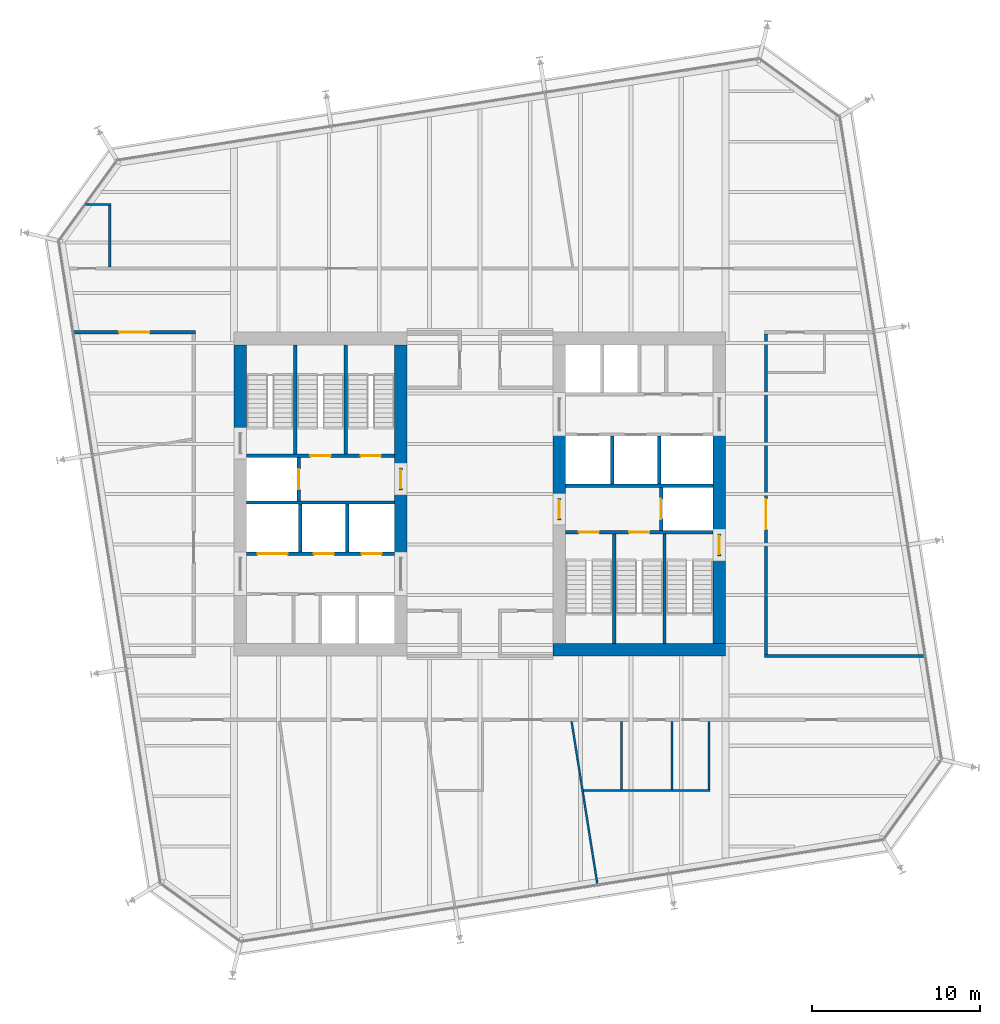
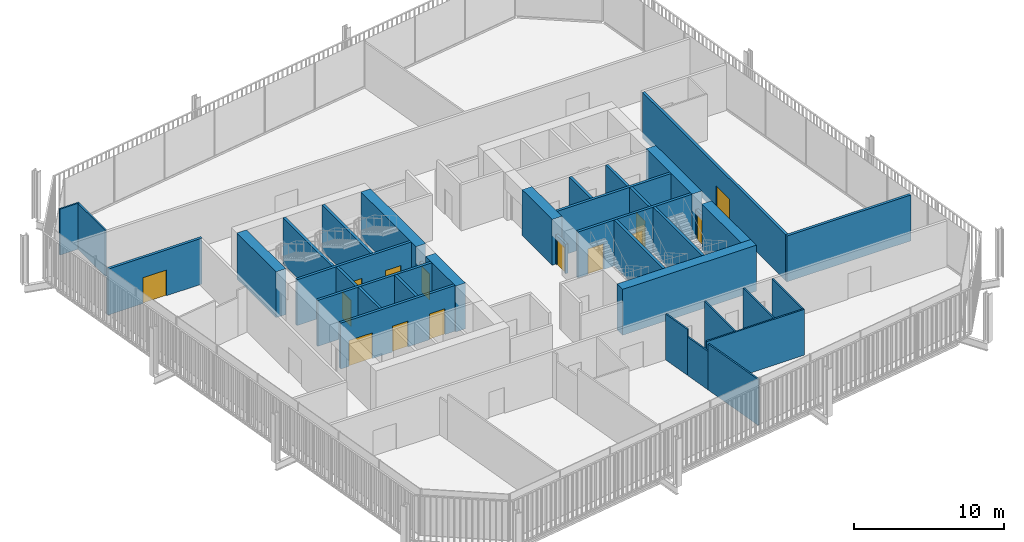
# One storey, part 18 of 21: 37 walls, 14 doors, 14 openings.
"""IFC4 building model written with IfcOpenShell, lengths in metres."""

import ifcopenshell
import ifcopenshell.guid

model = None  # the IFC model being written
_history = None  # IfcOwnerHistory: only IFC2X3 demands one
_inside = {}  # id of a spatial element -> (the spatial element, [elements in it])
_under = {}  # id of a project, library or spatial element -> (it, [spatial elements below it])
_declared = {}  # id of a project -> (the project, [libraries it declares])
_typed = {}  # id of a type object -> (the type object, [elements of that type])
_made_of = {}  # id of a material, layer set ... -> (it, [elements and type objects made of it])


def new_model(schema):
    """Start an empty IFC model of exactly this schema.

    Asked for "IFC4X3", IfcOpenShell would pick the latest addendum, in which some entities
    have other attributes; the version numbers below select the first issue.
    IFC2X3 requires an IfcOwnerHistory on every rooted entity: one is made here for all.
    """
    global model, _history
    if schema == "IFC4X3":
        model = ifcopenshell.file(schema_version=(4, 3, 0, 0))
    else:
        model = ifcopenshell.file(schema=schema)
    _inside.clear()
    _under.clear()
    _declared.clear()
    _typed.clear()
    _made_of.clear()
    _history = None
    if model.schema == "IFC2X3":
        org = make("IfcOrganization", Name="unknown")
        user = make(
            "IfcPersonAndOrganization",
            ThePerson=make("IfcPerson", FamilyName="unknown"),
            TheOrganization=org,
        )
        app = make(
            "IfcApplication",
            ApplicationDeveloper=org,
            Version="unknown",
            ApplicationFullName="unknown",
            ApplicationIdentifier="unknown",
        )
        _history = make(
            "IfcOwnerHistory",
            OwningUser=user,
            OwningApplication=app,
            ChangeAction="ADDED",
            CreationDate=0,
        )
    return model


def make(cls, **values):
    """One entity of the class cls with the attributes given. An attribute that is None is left unset."""
    return model.create_entity(
        cls, **{name: value for name, value in values.items() if value is not None}
    )


def rooted(cls, **values):
    """An entity with a GlobalId (a new one), such as an element, a storey or a relation."""
    return make(cls, GlobalId=ifcopenshell.guid.new(), OwnerHistory=_history, **values)


def si_unit(unit_type, name, prefix=None):
    """IfcSIUnit, for example si_unit("LENGTHUNIT", "METRE", prefix="MILLI")."""
    return make("IfcSIUnit", UnitType=unit_type, Prefix=prefix, Name=name)


def assignment(units):
    """IfcUnitAssignment: the units of a project."""
    return None if units is None else make("IfcUnitAssignment", Units=units)


def point(xyz):
    """IfcCartesianPoint."""
    return None if xyz is None else make("IfcCartesianPoint", Coordinates=xyz)


def direction(xyz):
    """IfcDirection."""
    return None if xyz is None else make("IfcDirection", DirectionRatios=xyz)


def frame(location, z_axis=None, x_axis=None):
    """IfcAxis2Placement3D, a coordinate frame: its origin and axes. An axis left out is left unset."""
    return make(
        "IfcAxis2Placement3D",
        Location=point(location),
        Axis=direction(z_axis),
        RefDirection=direction(x_axis),
    )


def frame_2d(location, x_axis=None):
    """IfcAxis2Placement2D, a coordinate frame in the plane: its origin and x axis."""
    return make(
        "IfcAxis2Placement2D", Location=point(location), RefDirection=direction(x_axis)
    )


def origin():
    """The frame at (0, 0, 0) with its axes left unset."""
    return frame((0.0, 0.0, 0.0))


def place(relative_to, where):
    """IfcLocalPlacement: puts the frame where relative to a parent placement (None: the world)."""
    return make(
        "IfcLocalPlacement", PlacementRelTo=relative_to, RelativePlacement=where
    )


def context(
    kind, dimensions, precision=None, world=None, true_north=None, identifier=None
):
    """IfcGeometricRepresentationContext, for example the 3D "Model" context."""
    return make(
        "IfcGeometricRepresentationContext",
        ContextIdentifier=identifier,
        ContextType=kind,
        CoordinateSpaceDimension=dimensions,
        Precision=precision,
        WorldCoordinateSystem=world,
        TrueNorth=true_north,
    )


def subcontext(parent, identifier, kind, view, scale=None):
    """IfcGeometricRepresentationSubContext, for example "Body" below "Model"."""
    return make(
        "IfcGeometricRepresentationSubContext",
        ContextIdentifier=identifier,
        ContextType=kind,
        ParentContext=parent,
        TargetScale=scale,
        TargetView=view,
    )


def project(units=None, contexts=None):
    """IfcProject with its units and contexts."""
    return rooted(
        "IfcProject",
        Name="project",
        RepresentationContexts=contexts,
        UnitsInContext=assignment(units),
    )


def spatial(cls, under=None, at=None, **own):
    """A site, building, storey or space (cls), placed at a placement, below another one or the project."""
    s = rooted(cls, ObjectPlacement=at, **own)
    if under is not None:
        _under.setdefault(under.id(), (under, []))[1].append(s)
    return s


def profile(cls, at=None, kind="AREA", **sizes):
    """A parametric profile (cls). Its sizes go by their IFC names, for example OverallWidth=200.0."""
    return make(cls, ProfileType=kind, Position=at, **sizes)


def rectangle(**sizes):
    """IfcRectangleProfileDef."""
    return profile("IfcRectangleProfileDef", **sizes)


def extrude(swept, where, along, depth):
    """IfcExtrudedAreaSolid: the profile swept, set in the frame where, extruded along a direction by depth."""
    return make(
        "IfcExtrudedAreaSolid",
        SweptArea=swept,
        Position=where,
        ExtrudedDirection=direction(along),
        Depth=depth,
    )


def shape(context_of_items, identifier, shape_type, items):
    """IfcShapeRepresentation: the items that make up one representation, for example the "Body"."""
    return make(
        "IfcShapeRepresentation",
        ContextOfItems=context_of_items,
        RepresentationIdentifier=identifier,
        RepresentationType=shape_type,
        Items=items,
    )


def material(Name=None, Category=None):
    """IfcMaterial."""
    return make("IfcMaterial", Name=Name, Category=Category)


def layer(
    of_material, thickness, ventilated=None, Name=None, Category=None, Priority=None
):
    """IfcMaterialLayer: one layer of a wall or slab, of a material (None: an air gap)."""
    return make(
        "IfcMaterialLayer",
        Material=of_material,
        LayerThickness=thickness,
        IsVentilated=ventilated,
        Name=Name,
        Category=Category,
        Priority=Priority,
    )


def layer_set(layers, Name=None):
    """IfcMaterialLayerSet."""
    return make("IfcMaterialLayerSet", MaterialLayers=layers, LayerSetName=Name)


def made_of(thing, what):
    """Note that an element or type object is made of a material, layer set ...; save() writes the relation."""
    if what is not None:
        _made_of.setdefault(what.id(), (what, []))[1].append(thing)
    return thing


def type_object(cls, material=None, **own):
    """A type object (cls), such as IfcWallType, which elements share."""
    return made_of(rooted(cls, **own), material)


def element(
    cls,
    number,
    at=None,
    inside=None,
    cuts=None,
    type_object=None,
    material=None,
    context=None,
    identifier="Body",
    shape_type=None,
    held_by="IfcProductDefinitionShape",
    body=None,
    shapes=None,
    **own,
):
    """One element of the class cls, such as IfcWall. Its Tag is "e" and its number.

    at: its placement. inside: the storey or other place that contains it. cuts: it is an
    opening in that element (IfcRelVoidsElement). A single representation is given by context,
    identifier, shape_type and body (its items); several are given by shapes. held_by: the class
    of the entity that holds the representations. save() writes the other relations.
    """
    e = rooted(cls, Tag="e%d" % number, ObjectPlacement=at, **own)
    if body is not None:
        shapes = [shape(context, identifier, shape_type, body)]
    if shapes is not None:
        e.Representation = make(held_by, Representations=shapes)
    if inside is not None:
        _inside.setdefault(inside.id(), (inside, []))[1].append(e)
    if cuts is not None:
        rooted(
            "IfcRelVoidsElement", RelatingBuildingElement=cuts, RelatedOpeningElement=e
        )
    if type_object is not None:
        _typed.setdefault(type_object.id(), (type_object, []))[1].append(e)
    return made_of(e, material)


def fill(opening, filler):
    """IfcRelFillsElement: the door or window that sits in an opening."""
    return rooted(
        "IfcRelFillsElement",
        RelatingOpeningElement=opening,
        RelatedBuildingElement=filler,
    )


def aggregate(whole, parts):
    """IfcRelAggregates: a whole, such as a stair, and the parts it consists of."""
    return rooted("IfcRelAggregates", RelatingObject=whole, RelatedObjects=parts)


def save(model, path):
    """Write the relations noted so far, then the file.

    IfcRelAggregates (storeys below a building ...), IfcRelContainedInSpatialStructure (elements
    in a storey), IfcRelDefinesByType, IfcRelAssociatesMaterial and IfcRelDeclares: one each for
    every whole, place, type object, material and project.
    """
    for whole, parts in _under.values():
        aggregate(whole, parts)
    for where, things in _inside.values():
        rooted(
            "IfcRelContainedInSpatialStructure",
            RelatedElements=things,
            RelatingStructure=where,
        )
    for kind, things in _typed.values():
        rooted("IfcRelDefinesByType", RelatedObjects=things, RelatingType=kind)
    for what, things in _made_of.values():
        rooted("IfcRelAssociatesMaterial", RelatedObjects=things, RelatingMaterial=what)
    for by, libraries in _declared.values():
        rooted("IfcRelDeclares", RelatingContext=by, RelatedDefinitions=libraries)
    model.write(path)


model = new_model("IFC4")

# Units and contexts
model_context = context("Model", 3, precision=1e-05, world=origin(), true_north=direction((0.0, 1.0)))
body_context = subcontext(model_context, "Body", "Model", "MODEL_VIEW")
ifc_project = project(units=[si_unit("LENGTHUNIT", "METRE"), si_unit("AREAUNIT", "SQUARE_METRE"), si_unit("VOLUMEUNIT", "CUBIC_METRE"), si_unit("PLANEANGLEUNIT", "RADIAN"), si_unit("MASSUNIT", "GRAM", prefix="KILO")], contexts=[model_context])

# Site, building, storey
site_placement = place(None, origin())
site = spatial("IfcSite", under=ifc_project, at=site_placement, CompositionType="ELEMENT")
building_placement = place(site_placement, origin())
building = spatial("IfcBuilding", under=site, at=building_placement, Name="Millrace Tower", CompositionType="ELEMENT")
storey_placement = place(building_placement, frame((0.0, 0.0, 141.199951171875)))
storey = spatial("IfcBuildingStorey", under=building, at=storey_placement, Name="L31", CompositionType="ELEMENT", Elevation=141.199951171875)

# Walls
ifc_material_1 = material(Name="Concrete C70", Category="concrete")
ifc_layer_1 = layer(ifc_material_1, 0.75)
ifc_layer_set_1 = layer_set([ifc_layer_1], Name="Concrete C70")
wall_type_1 = type_object("IfcWallType", Name="Core wall 750 Concrete C70", PredefinedType="SHEAR", material=ifc_layer_set_1)
wall_1_placement = place(storey_placement, frame((-14.27490234375, 3.679931640625, 0.0), z_axis=(0.0, 0.0, 1.0), x_axis=(0.0, 1.0, 0.0)))
element("IfcWall", 1, at=wall_1_placement, inside=storey, type_object=wall_type_1, Name="Core wall W L31", PredefinedType="SHEAR", context=body_context, shape_type="SweptSolid", body=[
    extrude(rectangle(XDim=5.219970703125, YDim=0.75, at=frame_2d((2.60986328125, 0.0))), origin(), (0.0, 0.0, 1.0), 3.739990234375),
])
wall_2_placement = place(storey_placement, frame((-4.72509765625, -3.75, 0.0), z_axis=(0.0, 0.0, 1.0), x_axis=(0.0, 1.0, 0.0)))
element("IfcWall", 2, at=wall_2_placement, inside=storey, type_object=wall_type_1, Name="Core wall W L31", PredefinedType="SHEAR", context=body_context, shape_type="SweptSolid", body=[
    extrude(rectangle(XDim=4.0, YDim=0.75, at=frame_2d((2.0, 0.0))), origin(), (0.0, 0.0, 1.0), 3.739990234375),
])
wall_3_placement = place(storey_placement, frame((-4.72509765625, 1.550048828125, 0.0), z_axis=(0.0, 0.0, 1.0), x_axis=(0.0, 1.0, 0.0)))
element("IfcWall", 3, at=wall_3_placement, inside=storey, type_object=wall_type_1, Name="Core wall W L31", PredefinedType="SHEAR", context=body_context, shape_type="SweptSolid", body=[
    extrude(rectangle(XDim=7.349853515625, YDim=0.75, at=frame_2d((3.6748046875, 0.0))), origin(), (0.0, 0.0, 1.0), 3.739990234375),
])
wall_4_placement = place(storey_placement, frame((14.64990234375, -9.27490234375, 0.0), z_axis=(0.0, 0.0, 1.0), x_axis=(-1.0, 0.0, 0.0)))
element("IfcWall", 4, at=wall_4_placement, inside=storey, type_object=wall_type_1, Name="Core wall E L31", PredefinedType="SHEAR", context=body_context, shape_type="SweptSolid", body=[
    extrude(rectangle(XDim=10.2998046875, YDim=0.75, at=frame_2d((5.14990234375, 0.0))), origin(), (0.0, 0.0, 1.0), 3.739990234375),
])
wall_5_placement = place(storey_placement, frame((14.27490234375, 3.75, 0.0), z_axis=(0.0, 0.0, 1.0), x_axis=(0.0, -1.0, 0.0)))
element("IfcWall", 5, at=wall_5_placement, inside=storey, type_object=wall_type_1, Name="Core wall E L31", PredefinedType="SHEAR", context=body_context, shape_type="SweptSolid", body=[
    extrude(rectangle(XDim=6.1298828125, YDim=0.75, at=frame_2d((3.06494140625, 0.0))), origin(), (0.0, 0.0, 1.0), 3.739990234375),
])
wall_6_placement = place(storey_placement, frame((14.27490234375, -3.679931640625, 0.0), z_axis=(0.0, 0.0, 1.0), x_axis=(0.0, -1.0, 0.0)))
element("IfcWall", 6, at=wall_6_placement, inside=storey, type_object=wall_type_1, Name="Core wall E L31", PredefinedType="SHEAR", context=body_context, shape_type="SweptSolid", body=[
    extrude(rectangle(XDim=5.219970703125, YDim=0.75, at=frame_2d((2.60986328125, 0.0))), origin(), (0.0, 0.0, 1.0), 3.739990234375),
])
wall_7_placement = place(storey_placement, frame((4.72509765625, 3.75, 0.0), z_axis=(0.0, 0.0, 1.0), x_axis=(0.0, -1.0, 0.0)))
element("IfcWall", 7, at=wall_7_placement, inside=storey, type_object=wall_type_1, Name="Core wall E L31", PredefinedType="SHEAR", context=body_context, shape_type="SweptSolid", body=[
    extrude(rectangle(XDim=4.0, YDim=0.75, at=frame_2d((2.0, 0.0))), origin(), (0.0, 0.0, 1.0), 3.739990234375),
])
ifc_material_2 = material(Name="Masonry partition, fire-rated", Category="masonry")
ifc_layer_2 = layer(ifc_material_2, 0.199951171875)
ifc_layer_set_2 = layer_set([ifc_layer_2], Name="Masonry partition, fire-rated")
wall_type_2 = type_object("IfcWallType", Name="Corridor wall 200", PredefinedType="PARTITIONING", material=ifc_layer_set_2)
wall_8_placement = place(storey_placement, frame((16.949951171875, -9.64990234375, 0.0), z_axis=(0.0, 0.0, 1.0), x_axis=(1.0, 0.0, 0.0)))
element("IfcWall", 8, at=wall_8_placement, inside=storey, type_object=wall_type_2, Name="Corridor wall L31", PredefinedType="PARTITIONING", context=body_context, shape_type="SweptSolid", body=[
    extrude(rectangle(XDim=9.54638671875, YDim=0.199951171875, at=frame_2d((4.773193359375, 0.0))), origin(), (0.0, 0.0, 1.0), 3.739990234375),
])

# Wall, opening, door
wall_9_placement = place(storey_placement, frame((-24.20703125, 9.64990234375, 0.0), z_axis=(0.0, 0.0, 1.0), x_axis=(1.0, 0.0, 0.0)))
wall_9 = element("IfcWall", 9, at=wall_9_placement, inside=storey, type_object=wall_type_2, Name="Corridor wall L31", PredefinedType="PARTITIONING", context=body_context, shape_type="SweptSolid", body=[
    extrude(rectangle(XDim=7.257080078125, YDim=0.199951171875, at=frame_2d((3.62841796875, 0.0))), origin(), (0.0, 0.0, 1.0), 3.739990234375),
])
opening_1_placement = place(wall_9_placement, frame((2.70361328125, 0.0, 0.0)))
opening_1 = element("IfcOpeningElement", 10, at=opening_1_placement, cuts=wall_9, Name="Opening 31-P019", PredefinedType="OPENING", context=body_context, shape_type="SweptSolid", body=[
    extrude(rectangle(XDim=1.800048828125, YDim=2.10009765625, at=frame_2d((0.89990234375, 1.050048828125))), frame((0.0, 0.10986328125, 0.0), z_axis=(0.0, -1.0, 0.0), x_axis=(1.0, 0.0, 0.0)), (0.0, 0.0, 1.0), 0.219970703125),
])
ifc_material_3 = material(Name="Steel door set, fire-rated", Category="steel")
door_type_1 = type_object("IfcDoorType", Name="Corridor door 1800 x 2100", OperationType="DOUBLE_DOOR_SINGLE_SWING", PredefinedType="DOOR", material=ifc_material_3)
door_1_placement = place(opening_1_placement, frame((1.800048828125, 0.0, 0.0), z_axis=(0.0, 0.0, 1.0), x_axis=(-1.0, 0.0, 0.0)))
door_1 = element("IfcDoor", 11, at=door_1_placement, inside=storey, type_object=door_type_1, Name="Door 31-P019", OperationType="DOUBLE_DOOR_SINGLE_SWING", OverallHeight=2.10009765625, OverallWidth=1.800048828125, PredefinedType="DOOR", context=body_context, shape_type="SweptSolid", body=[
    extrude(rectangle(XDim=1.800048828125, YDim=2.10009765625, at=frame_2d((0.89990234375, 1.050048828125))), frame((0.0, 0.02490234375, 0.0), z_axis=(0.0, -1.0, 0.0), x_axis=(1.0, 0.0, 0.0)), (0.0, 0.0, 1.0), 0.050048828125),
])
fill(opening_1, door_1)

wall_10_placement = place(storey_placement, frame((17.050048828125, -9.550048828125, 0.0), z_axis=(0.0, 0.0, 1.0), x_axis=(0.0, 1.0, 0.0)))
wall_10 = element("IfcWall", 12, at=wall_10_placement, inside=storey, type_object=wall_type_2, Name="Corridor wall L31", PredefinedType="PARTITIONING", context=body_context, shape_type="SweptSolid", body=[
    extrude(rectangle(XDim=19.10009765625, YDim=0.199951171875, at=frame_2d((9.550048828125, 0.0))), origin(), (0.0, 0.0, 1.0), 3.739990234375),
])
opening_2_placement = place(wall_10_placement, frame((7.449951171875, 0.0, 0.0)))
opening_2 = element("IfcOpeningElement", 13, at=opening_2_placement, cuts=wall_10, Name="Opening 31-P008", PredefinedType="OPENING", context=body_context, shape_type="SweptSolid", body=[
    extrude(rectangle(XDim=1.800048828125, YDim=2.10009765625, at=frame_2d((0.89990234375, 1.050048828125))), frame((0.0, 0.10986328125, 0.0), z_axis=(0.0, -1.0, 0.0), x_axis=(1.0, 0.0, 0.0)), (0.0, 0.0, 1.0), 0.219970703125),
])
door_2_placement = place(opening_2_placement, frame((1.800048828125, 0.0, 0.0), z_axis=(0.0, 0.0, 1.0), x_axis=(-1.0, 0.0, 0.0)))
door_2 = element("IfcDoor", 14, at=door_2_placement, inside=storey, type_object=door_type_1, Name="Door 31-P008", OperationType="DOUBLE_DOOR_SINGLE_SWING", OverallHeight=2.10009765625, OverallWidth=1.800048828125, PredefinedType="DOOR", context=body_context, shape_type="SweptSolid", body=[
    extrude(rectangle(XDim=1.800048828125, YDim=2.10009765625, at=frame_2d((0.89990234375, 1.050048828125))), frame((0.0, 0.02490234375, 0.0), z_axis=(0.0, -1.0, 0.0), x_axis=(1.0, 0.0, 0.0)), (0.0, 0.0, 1.0), 0.050048828125),
])
fill(opening_2, door_2)

# Wall, openings, doors
ifc_material_4 = material(Name="Masonry partition, fire-rated", Category="masonry")
ifc_layer_3 = layer(ifc_material_4, 0.199951171875)
ifc_layer_set_3 = layer_set([ifc_layer_3], Name="Masonry partition, fire-rated")
wall_type_3 = type_object("IfcWallType", Name="Lift shaft wall 200", PredefinedType="PARTITIONING", material=ifc_layer_set_3)
wall_11_placement = place(storey_placement, frame((-13.89990234375, -3.550048828125, 0.0), z_axis=(0.0, 0.0, 1.0), x_axis=(1.0, 0.0, 0.0)))
wall_11 = element("IfcWall", 15, at=wall_11_placement, inside=storey, type_object=wall_type_3, Name="Lift shaft wall W L31", PredefinedType="PARTITIONING", context=body_context, shape_type="SweptSolid", body=[
    extrude(rectangle(XDim=8.7998046875, YDim=0.199951171875, at=frame_2d((4.39990234375, 0.0))), origin(), (0.0, 0.0, 1.0), 3.739990234375),
])
opening_3_placement = place(wall_11_placement, frame((0.64990234375, 0.0, 0.0)))
opening_3 = element("IfcOpeningElement", 16, at=opening_3_placement, cuts=wall_11, Name="Opening 31-LD05", PredefinedType="OPENING", context=body_context, shape_type="SweptSolid", body=[
    extrude(rectangle(XDim=1.800048828125, YDim=2.10009765625, at=frame_2d((0.89990234375, 1.050048828125))), frame((0.0, 0.10986328125, 0.0), z_axis=(0.0, -1.0, 0.0), x_axis=(1.0, 0.0, 0.0)), (0.0, 0.0, 1.0), 0.219970703125),
])
opening_4_placement = place(wall_11_placement, frame((4.0, 0.0, 0.0)))
opening_4 = element("IfcOpeningElement", 17, at=opening_4_placement, cuts=wall_11, Name="Opening 31-LD06", PredefinedType="OPENING", context=body_context, shape_type="SweptSolid", body=[
    extrude(rectangle(XDim=1.199951171875, YDim=2.10009765625, at=frame_2d((0.60009765625, 1.050048828125))), frame((0.0, 0.10986328125, 0.0), z_axis=(0.0, -1.0, 0.0), x_axis=(1.0, 0.0, 0.0)), (0.0, 0.0, 1.0), 0.219970703125),
])
opening_5_placement = place(wall_11_placement, frame((6.85009765625, 0.0, 0.0)))
opening_5 = element("IfcOpeningElement", 18, at=opening_5_placement, cuts=wall_11, Name="Opening 31-LD07", PredefinedType="OPENING", context=body_context, shape_type="SweptSolid", body=[
    extrude(rectangle(XDim=1.199951171875, YDim=2.10009765625, at=frame_2d((0.60009765625, 1.050048828125))), frame((0.0, 0.10986328125, 0.0), z_axis=(0.0, -1.0, 0.0), x_axis=(1.0, 0.0, 0.0)), (0.0, 0.0, 1.0), 0.219970703125),
])
ifc_material_5 = material(Name="Stainless steel, fire-rated", Category="steel")
door_type_2 = type_object("IfcDoorType", Name="Lift landing door 1200 x 2100", OperationType="DOUBLE_DOOR_SLIDING", PredefinedType="DOOR", material=ifc_material_5)
door_3_placement = place(opening_4_placement, origin())
door_3 = element("IfcDoor", 19, at=door_3_placement, inside=storey, type_object=door_type_2, Name="Lift landing door LF6 L31", OperationType="DOUBLE_DOOR_SLIDING", OverallHeight=2.10009765625, OverallWidth=1.199951171875, PredefinedType="DOOR", context=body_context, shape_type="SweptSolid", body=[
    extrude(rectangle(XDim=1.199951171875, YDim=2.10009765625, at=frame_2d((0.60009765625, 1.050048828125))), frame((0.0, 0.02490234375, 0.0), z_axis=(0.0, -1.0, 0.0), x_axis=(1.0, 0.0, 0.0)), (0.0, 0.0, 1.0), 0.050048828125),
])
fill(opening_4, door_3)
door_4_placement = place(opening_5_placement, origin())
door_4 = element("IfcDoor", 20, at=door_4_placement, inside=storey, type_object=door_type_2, Name="Lift landing door LF7 L31", OperationType="DOUBLE_DOOR_SLIDING", OverallHeight=2.10009765625, OverallWidth=1.199951171875, PredefinedType="DOOR", context=body_context, shape_type="SweptSolid", body=[
    extrude(rectangle(XDim=1.199951171875, YDim=2.10009765625, at=frame_2d((0.60009765625, 1.050048828125))), frame((0.0, 0.02490234375, 0.0), z_axis=(0.0, -1.0, 0.0), x_axis=(1.0, 0.0, 0.0)), (0.0, 0.0, 1.0), 0.050048828125),
])
fill(opening_5, door_4)
ifc_material_6 = material(Name="Stainless steel, fire-rated", Category="steel")
door_type_3 = type_object("IfcDoorType", Name="Lift landing door 1800 x 2100", OperationType="DOUBLE_DOOR_SLIDING", PredefinedType="DOOR", material=ifc_material_6)
door_5_placement = place(opening_3_placement, origin())
door_5 = element("IfcDoor", 21, at=door_5_placement, inside=storey, type_object=door_type_3, Name="Lift landing door LF5 L31", OperationType="DOUBLE_DOOR_SLIDING", OverallHeight=2.10009765625, OverallWidth=1.800048828125, PredefinedType="DOOR", context=body_context, shape_type="SweptSolid", body=[
    extrude(rectangle(XDim=1.800048828125, YDim=2.10009765625, at=frame_2d((0.89990234375, 1.050048828125))), frame((0.0, 0.02490234375, 0.0), z_axis=(0.0, -1.0, 0.0), x_axis=(1.0, 0.0, 0.0)), (0.0, 0.0, 1.0), 0.050048828125),
])
fill(opening_3, door_5)

# Wall
wall_12_placement = place(storey_placement, frame((-13.89990234375, -0.5, 0.0), z_axis=(0.0, 0.0, 1.0), x_axis=(1.0, 0.0, 0.0)))
element("IfcWall", 22, at=wall_12_placement, inside=storey, type_object=wall_type_3, Name="Lift shaft wall W L31", PredefinedType="PARTITIONING", context=body_context, shape_type="SweptSolid", body=[
    extrude(rectangle(XDim=8.7998046875, YDim=0.199951171875, at=frame_2d((4.39990234375, 0.0))), origin(), (0.0, 0.0, 1.0), 3.739990234375),
])

# Wall, opening, door
wall_13_placement = place(storey_placement, frame((-10.800048828125, -0.39990234375, 0.0), z_axis=(0.0, 0.0, 1.0), x_axis=(0.0, 1.0, 0.0)))
wall_13 = element("IfcWall", 23, at=wall_13_placement, inside=storey, type_object=wall_type_3, Name="Lift shaft wall W L31", PredefinedType="PARTITIONING", context=body_context, shape_type="SweptSolid", body=[
    extrude(rectangle(XDim=2.579833984375, YDim=0.199951171875, at=frame_2d((1.2900390625, 0.0))), origin(), (0.0, 0.0, 1.0), 3.739990234375),
])
opening_6_placement = place(wall_13_placement, frame((0.68994140625, 0.0, 0.0)))
opening_6 = element("IfcOpeningElement", 24, at=opening_6_placement, cuts=wall_13, Name="Opening 31-LD08", PredefinedType="OPENING", context=body_context, shape_type="SweptSolid", body=[
    extrude(rectangle(XDim=1.199951171875, YDim=2.10009765625, at=frame_2d((0.60009765625, 1.050048828125))), frame((0.0, 0.10986328125, 0.0), z_axis=(0.0, -1.0, 0.0), x_axis=(1.0, 0.0, 0.0)), (0.0, 0.0, 1.0), 0.219970703125),
])
door_6_placement = place(opening_6_placement, origin())
door_6 = element("IfcDoor", 25, at=door_6_placement, inside=storey, type_object=door_type_2, Name="Lift landing door LF8 L31", OperationType="DOUBLE_DOOR_SLIDING", OverallHeight=2.10009765625, OverallWidth=1.199951171875, PredefinedType="DOOR", context=body_context, shape_type="SweptSolid", body=[
    extrude(rectangle(XDim=1.199951171875, YDim=2.10009765625, at=frame_2d((0.60009765625, 1.050048828125))), frame((0.0, 0.02490234375, 0.0), z_axis=(0.0, -1.0, 0.0), x_axis=(1.0, 0.0, 0.0)), (0.0, 0.0, 1.0), 0.050048828125),
])
fill(opening_6, door_6)

# Walls
for number, where, z_axis, x_axis, name in (
    (26, (-10.699951171875, -3.449951171875, 0.0), (0.0, 0.0, 1.0), (0.0, 1.0, 0.0), "Lift shaft wall W L31"),
    (27, (-7.89990234375, -3.449951171875, 0.0), (0.0, 0.0, 1.0), (0.0, 1.0, 0.0), "Lift shaft wall W L31"),
):
    element("IfcWall", number, at=place(storey_placement, frame(where, z_axis=z_axis, x_axis=x_axis)), inside=storey, type_object=wall_type_3, Name=name, PredefinedType="PARTITIONING", context=body_context, shape_type="SweptSolid", body=[
        extrude(rectangle(XDim=2.849853515625, YDim=0.199951171875, at=frame_2d((1.4248046875, 0.0))), origin(), (0.0, 0.0, 1.0), 3.739990234375),
    ])
wall_14_placement = place(storey_placement, frame((13.89990234375, 0.5, 0.0), z_axis=(0.0, 0.0, 1.0), x_axis=(-1.0, 0.0, 0.0)))
element("IfcWall", 28, at=wall_14_placement, inside=storey, type_object=wall_type_3, Name="Lift shaft wall E L31", PredefinedType="PARTITIONING", context=body_context, shape_type="SweptSolid", body=[
    extrude(rectangle(XDim=8.7998046875, YDim=0.199951171875, at=frame_2d((4.39990234375, 0.0))), origin(), (0.0, 0.0, 1.0), 3.739990234375),
])

# Wall, opening, door
wall_15_placement = place(storey_placement, frame((10.800048828125, 0.39990234375, 0.0), z_axis=(0.0, 0.0, 1.0), x_axis=(0.0, -1.0, 0.0)))
wall_15 = element("IfcWall", 29, at=wall_15_placement, inside=storey, type_object=wall_type_3, Name="Lift shaft wall E L31", PredefinedType="PARTITIONING", context=body_context, shape_type="SweptSolid", body=[
    extrude(rectangle(XDim=2.579833984375, YDim=0.199951171875, at=frame_2d((1.2900390625, 0.0))), origin(), (0.0, 0.0, 1.0), 3.739990234375),
])
opening_7_placement = place(wall_15_placement, frame((0.68994140625, 0.0, 0.0)))
opening_7 = element("IfcOpeningElement", 30, at=opening_7_placement, cuts=wall_15, Name="Opening 31-LD16", PredefinedType="OPENING", context=body_context, shape_type="SweptSolid", body=[
    extrude(rectangle(XDim=1.199951171875, YDim=2.10009765625, at=frame_2d((0.60009765625, 1.050048828125))), frame((0.0, 0.10986328125, 0.0), z_axis=(0.0, -1.0, 0.0), x_axis=(1.0, 0.0, 0.0)), (0.0, 0.0, 1.0), 0.219970703125),
])
door_7_placement = place(opening_7_placement, origin())
door_7 = element("IfcDoor", 31, at=door_7_placement, inside=storey, type_object=door_type_2, Name="Lift landing door LF16 L31", OperationType="DOUBLE_DOOR_SLIDING", OverallHeight=2.10009765625, OverallWidth=1.199951171875, PredefinedType="DOOR", context=body_context, shape_type="SweptSolid", body=[
    extrude(rectangle(XDim=1.199951171875, YDim=2.10009765625, at=frame_2d((0.60009765625, 1.050048828125))), frame((0.0, 0.02490234375, 0.0), z_axis=(0.0, -1.0, 0.0), x_axis=(1.0, 0.0, 0.0)), (0.0, 0.0, 1.0), 0.050048828125),
])
fill(opening_7, door_7)

# Walls
for number, where, z_axis, x_axis, name in (
    (32, (10.699951171875, 3.449951171875, 0.0), (0.0, 0.0, 1.0), (0.0, -1.0, 0.0), "Lift shaft wall E L31"),
    (33, (7.89990234375, 3.449951171875, 0.0), (0.0, 0.0, 1.0), (0.0, -1.0, 0.0), "Lift shaft wall E L31"),
):
    element("IfcWall", number, at=place(storey_placement, frame(where, z_axis=z_axis, x_axis=x_axis)), inside=storey, type_object=wall_type_3, Name=name, PredefinedType="PARTITIONING", context=body_context, shape_type="SweptSolid", body=[
        extrude(rectangle(XDim=2.849853515625, YDim=0.199951171875, at=frame_2d((1.4248046875, 0.0))), origin(), (0.0, 0.0, 1.0), 3.739990234375),
    ])

# Wall, opening, door
ifc_material_7 = material(Name="Masonry partition, fire-rated", Category="masonry")
ifc_layer_4 = layer(ifc_material_7, 0.199951171875)
ifc_layer_set_4 = layer_set([ifc_layer_4], Name="Masonry partition, fire-rated")
wall_type_4 = type_object("IfcWallType", Name="Lobby wall 200", PredefinedType="PARTITIONING", material=ifc_layer_set_4)
wall_16_placement = place(storey_placement, frame((-4.72509765625, 0.25, 0.0), z_axis=(0.0, 0.0, 1.0), x_axis=(0.0, 1.0, 0.0)))
wall_16 = element("IfcWall", 34, at=wall_16_placement, inside=storey, type_object=wall_type_4, Name="Lobby wall W L31", PredefinedType="PARTITIONING", context=body_context, shape_type="SweptSolid", body=[
    extrude(rectangle(XDim=1.300048828125, YDim=0.199951171875, at=frame_2d((0.64990234375, 0.0))), origin(), (0.0, 0.0, 1.0), 2.400146484375),
])
opening_8_placement = place(wall_16_placement, frame((0.10009765625, 0.0, 0.0)))
opening_8 = element("IfcOpeningElement", 35, at=opening_8_placement, cuts=wall_16, Name="Opening 31-C004", PredefinedType="OPENING", context=body_context, shape_type="SweptSolid", body=[
    extrude(rectangle(XDim=1.10009765625, YDim=2.10009765625, at=frame_2d((0.550048828125, 1.050048828125))), frame((0.0, 0.10986328125, 0.0), z_axis=(0.0, -1.0, 0.0), x_axis=(1.0, 0.0, 0.0)), (0.0, 0.0, 1.0), 0.219970703125),
])
ifc_material_8 = material(Name="Steel door, fire-rated", Category="steel")
door_type_4 = type_object("IfcDoorType", Name="Lobby door 1100 x 2100", OperationType="SINGLE_SWING_LEFT", PredefinedType="DOOR", material=ifc_material_8)
door_8_placement = place(opening_8_placement, origin())
door_8 = element("IfcDoor", 36, at=door_8_placement, inside=storey, type_object=door_type_4, Name="Lobby door 31-C004", OperationType="SINGLE_SWING_RIGHT", OverallHeight=2.10009765625, OverallWidth=1.10009765625, PredefinedType="DOOR", context=body_context, shape_type="SweptSolid", body=[
    extrude(rectangle(XDim=1.10009765625, YDim=2.10009765625, at=frame_2d((0.550048828125, 1.050048828125))), frame((0.0, 0.02490234375, 0.0), z_axis=(0.0, -1.0, 0.0), x_axis=(1.0, 0.0, 0.0)), (0.0, 0.0, 1.0), 0.050048828125),
])
fill(opening_8, door_8)

wall_17_placement = place(storey_placement, frame((4.72509765625, -0.25, 0.0), z_axis=(0.0, 0.0, 1.0), x_axis=(0.0, -1.0, 0.0)))
wall_17 = element("IfcWall", 37, at=wall_17_placement, inside=storey, type_object=wall_type_4, Name="Lobby wall E L31", PredefinedType="PARTITIONING", context=body_context, shape_type="SweptSolid", body=[
    extrude(rectangle(XDim=1.300048828125, YDim=0.199951171875, at=frame_2d((0.64990234375, 0.0))), origin(), (0.0, 0.0, 1.0), 2.400146484375),
])
opening_9_placement = place(wall_17_placement, frame((0.10009765625, 0.0, 0.0)))
opening_9 = element("IfcOpeningElement", 38, at=opening_9_placement, cuts=wall_17, Name="Opening 31-C012", PredefinedType="OPENING", context=body_context, shape_type="SweptSolid", body=[
    extrude(rectangle(XDim=1.10009765625, YDim=2.10009765625, at=frame_2d((0.550048828125, 1.050048828125))), frame((0.0, 0.10986328125, 0.0), z_axis=(0.0, -1.0, 0.0), x_axis=(1.0, 0.0, 0.0)), (0.0, 0.0, 1.0), 0.219970703125),
])
door_9_placement = place(opening_9_placement, origin())
door_9 = element("IfcDoor", 39, at=door_9_placement, inside=storey, type_object=door_type_4, Name="Lobby door 31-C012", OperationType="SINGLE_SWING_LEFT", OverallHeight=2.10009765625, OverallWidth=1.10009765625, PredefinedType="DOOR", context=body_context, shape_type="SweptSolid", body=[
    extrude(rectangle(XDim=1.10009765625, YDim=2.10009765625, at=frame_2d((0.550048828125, 1.050048828125))), frame((0.0, 0.02490234375, 0.0), z_axis=(0.0, -1.0, 0.0), x_axis=(1.0, 0.0, 0.0)), (0.0, 0.0, 1.0), 0.050048828125),
])
fill(opening_9, door_9)

# Walls
ifc_material_9 = material(Name="Gypsum board partition")
ifc_layer_5 = layer(ifc_material_9, 0.1201171875)
ifc_layer_set_5 = layer_set([ifc_layer_5], Name="Gypsum board partition")
wall_type_5 = type_object("IfcWallType", Name="Partition wall 120", PredefinedType="PARTITIONING", material=ifc_layer_set_5)
wall_18_placement = place(storey_placement, frame((5.46728515625, -13.548828125, 0.0), z_axis=(0.0, 0.0, 1.0), x_axis=(0.15651401508, -0.987675737823, 0.0)))
element("IfcWall", 40, at=wall_18_placement, inside=storey, type_object=wall_type_5, Name="Partition wall L31", PredefinedType="PARTITIONING", context=body_context, shape_type="SweptSolid", body=[
    extrude(rectangle(XDim=2.296142578125, YDim=0.1201171875, at=frame_2d((1.14794921875, 0.0))), origin(), (0.0, 0.0, 1.0), 3.739990234375),
])
wall_19_placement = place(storey_placement, frame((5.82666015625, -15.816650390625, 0.0), z_axis=(0.0, 0.0, 1.0), x_axis=(0.156375374173, -0.987697697857, 0.0)))
element("IfcWall", 41, at=wall_19_placement, inside=storey, type_object=wall_type_5, Name="Partition wall L31", PredefinedType="PARTITIONING", context=body_context, shape_type="SweptSolid", body=[
    extrude(rectangle(XDim=2.217041015625, YDim=0.1201171875, at=frame_2d((1.1083984375, 0.0))), origin(), (0.0, 0.0, 1.0), 3.133056640625),
])
wall_20_placement = place(storey_placement, frame((6.17333984375, -18.00634765625, 0.0), z_axis=(0.0, 0.0, 1.0), x_axis=(0.156465164323, -0.987683477817, 0.0)))
element("IfcWall", 42, at=wall_20_placement, inside=storey, type_object=wall_type_5, Name="Partition wall L31", PredefinedType="PARTITIONING", context=body_context, shape_type="SweptSolid", body=[
    extrude(rectangle(XDim=5.31298828125, YDim=0.1201171875, at=frame_2d((2.656494140625, 0.0))), origin(), (0.0, 0.0, 1.0), 3.739990234375),
])
wall_21_placement = place(storey_placement, frame((6.17724609375, -17.64990234375, 0.0), z_axis=(0.0, 0.0, 1.0), x_axis=(1.0, 0.0, 0.0)))
element("IfcWall", 43, at=wall_21_placement, inside=storey, type_object=wall_type_5, Name="Partition wall L31", PredefinedType="PARTITIONING", context=body_context, shape_type="SweptSolid", body=[
    extrude(rectangle(XDim=7.53466796875, YDim=0.1201171875, at=frame_2d((3.767333984375, 0.0))), origin(), (0.0, 0.0, 1.0), 3.739990234375),
])
wall_22_placement = place(storey_placement, frame((-23.502197265625, 17.25, 0.0), z_axis=(0.0, 0.0, 1.0), x_axis=(1.0, 0.0, 0.0)))
element("IfcWall", 44, at=wall_22_placement, inside=storey, type_object=wall_type_5, Name="Partition wall L31", PredefinedType="PARTITIONING", context=body_context, shape_type="SweptSolid", body=[
    extrude(rectangle(XDim=1.504150390625, YDim=0.1201171875, at=frame_2d((0.751953125, 0.0))), origin(), (0.0, 0.0, 1.0), 3.739990234375),
])
for number, where, z_axis, x_axis, name in (
    (45, (13.652099609375, -17.590087890625, 0.0), (0.0, 0.0, 1.0), (0.0, 1.0, 0.0), "Partition wall L31"),
    (46, (11.451904296875, -17.590087890625, 0.0), (0.0, 0.0, 1.0), (0.0, 1.0, 0.0), "Partition wall L31"),
    (47, (8.451904296875, -17.590087890625, 0.0), (0.0, 0.0, 1.0), (0.0, 1.0, 0.0), "Partition wall L31"),
):
    element("IfcWall", number, at=place(storey_placement, frame(where, z_axis=z_axis, x_axis=x_axis)), inside=storey, type_object=wall_type_5, Name=name, PredefinedType="PARTITIONING", context=body_context, shape_type="SweptSolid", body=[
        extrude(rectangle(XDim=4.0400390625, YDim=0.1201171875, at=frame_2d((2.02001953125, 0.0))), origin(), (0.0, 0.0, 1.0), 3.739990234375),
    ])
wall_23_placement = place(storey_placement, frame((-22.05810546875, 13.550048828125, 0.0), z_axis=(0.0, 0.0, 1.0), x_axis=(0.0, 1.0, 0.0)))
element("IfcWall", 48, at=wall_23_placement, inside=storey, type_object=wall_type_5, Name="Partition wall L31", PredefinedType="PARTITIONING", context=body_context, shape_type="SweptSolid", body=[
    extrude(rectangle(XDim=3.639892578125, YDim=0.1201171875, at=frame_2d((1.81982421875, 0.0))), origin(), (0.0, 0.0, 1.0), 3.739990234375),
])

# Wall, openings, doors
ifc_material_10 = material(Name="Concrete C40", Category="concrete")
ifc_layer_6 = layer(ifc_material_10, 0.199951171875)
ifc_layer_set_6 = layer_set([ifc_layer_6], Name="Concrete C40")
wall_type_6 = type_object("IfcWallType", Name="Stair enclosure wall 200 Concrete C40", PredefinedType="SHEAR", material=ifc_layer_set_6)
wall_24_placement = place(storey_placement, frame((-13.89990234375, 2.280029296875, 0.0), z_axis=(0.0, 0.0, 1.0), x_axis=(1.0, 0.0, 0.0)))
wall_24 = element("IfcWall", 49, at=wall_24_placement, inside=storey, type_object=wall_type_6, Name="Stair enclosure wall W L31", PredefinedType="SHEAR", context=body_context, shape_type="SweptSolid", body=[
    extrude(rectangle(XDim=8.7998046875, YDim=0.199951171875, at=frame_2d((4.39990234375, 0.0))), origin(), (0.0, 0.0, 1.0), 3.739990234375),
])
opening_10_placement = place(wall_24_placement, frame((3.800048828125, 0.0, 0.0)))
opening_10 = element("IfcOpeningElement", 50, at=opening_10_placement, cuts=wall_24, Name="Opening 31-C007", PredefinedType="OPENING", context=body_context, shape_type="SweptSolid", body=[
    extrude(rectangle(XDim=1.199951171875, YDim=2.10009765625, at=frame_2d((0.60009765625, 1.050048828125))), frame((0.0, 0.10986328125, 0.0), z_axis=(0.0, -1.0, 0.0), x_axis=(1.0, 0.0, 0.0)), (0.0, 0.0, 1.0), 0.219970703125),
])
opening_11_placement = place(wall_24_placement, frame((6.800048828125, 0.0, 0.0)))
opening_11 = element("IfcOpeningElement", 51, at=opening_11_placement, cuts=wall_24, Name="Opening 31-C008", PredefinedType="OPENING", context=body_context, shape_type="SweptSolid", body=[
    extrude(rectangle(XDim=1.199951171875, YDim=2.10009765625, at=frame_2d((0.60009765625, 1.050048828125))), frame((0.0, 0.10986328125, 0.0), z_axis=(0.0, -1.0, 0.0), x_axis=(1.0, 0.0, 0.0)), (0.0, 0.0, 1.0), 0.219970703125),
])
ifc_material_11 = material(Name="Steel door, fire-rated", Category="steel")
door_type_5 = type_object("IfcDoorType", Name="Stair door 1200 x 2100", OperationType="SINGLE_SWING_LEFT", PredefinedType="DOOR", material=ifc_material_11)
door_10_placement = place(opening_10_placement, frame((1.199951171875, 0.0, 0.0), z_axis=(0.0, 0.0, 1.0), x_axis=(-1.0, 0.0, 0.0)))
door_10 = element("IfcDoor", 52, at=door_10_placement, inside=storey, type_object=door_type_5, Name="Stair door 31-C007", OperationType="SINGLE_SWING_LEFT", OverallHeight=2.10009765625, OverallWidth=1.199951171875, PredefinedType="DOOR", context=body_context, shape_type="SweptSolid", body=[
    extrude(rectangle(XDim=1.199951171875, YDim=2.10009765625, at=frame_2d((0.60009765625, 1.050048828125))), frame((0.0, 0.02490234375, 0.0), z_axis=(0.0, -1.0, 0.0), x_axis=(1.0, 0.0, 0.0)), (0.0, 0.0, 1.0), 0.050048828125),
])
fill(opening_10, door_10)
door_11_placement = place(opening_11_placement, frame((1.199951171875, 0.0, 0.0), z_axis=(0.0, 0.0, 1.0), x_axis=(-1.0, 0.0, 0.0)))
door_11 = element("IfcDoor", 53, at=door_11_placement, inside=storey, type_object=door_type_5, Name="Stair door 31-C008", OperationType="SINGLE_SWING_LEFT", OverallHeight=2.10009765625, OverallWidth=1.199951171875, PredefinedType="DOOR", context=body_context, shape_type="SweptSolid", body=[
    extrude(rectangle(XDim=1.199951171875, YDim=2.10009765625, at=frame_2d((0.60009765625, 1.050048828125))), frame((0.0, 0.02490234375, 0.0), z_axis=(0.0, -1.0, 0.0), x_axis=(1.0, 0.0, 0.0)), (0.0, 0.0, 1.0), 0.050048828125),
])
fill(opening_11, door_11)

# Walls
for number, where, z_axis, x_axis, name in (
    (54, (-11.0, 2.3798828125, 0.0), (0.0, 0.0, 1.0), (0.0, 1.0, 0.0), "Stair enclosure wall W L31"),
    (55, (-8.0, 2.3798828125, 0.0), (0.0, 0.0, 1.0), (0.0, 1.0, 0.0), "Stair enclosure wall W L31"),
):
    element("IfcWall", number, at=place(storey_placement, frame(where, z_axis=z_axis, x_axis=x_axis)), inside=storey, type_object=wall_type_6, Name=name, PredefinedType="SHEAR", context=body_context, shape_type="SweptSolid", body=[
        extrude(rectangle(XDim=6.52001953125, YDim=0.199951171875, at=frame_2d((3.260009765625, 0.0))), origin(), (0.0, 0.0, 1.0), 3.739990234375),
    ])

# Wall, opening, door
wall_25_placement = place(storey_placement, frame((14.27490234375, -2.3798828125, 0.0), z_axis=(0.0, 0.0, 1.0), x_axis=(0.0, -1.0, 0.0)))
wall_25 = element("IfcWall", 56, at=wall_25_placement, inside=storey, type_object=wall_type_6, Name="Stair enclosure wall E L31", PredefinedType="SHEAR", context=body_context, shape_type="SweptSolid", body=[
    extrude(rectangle(XDim=1.300048828125, YDim=0.199951171875, at=frame_2d((0.64990234375, 0.0))), origin(), (0.0, 0.0, 1.0), 2.400146484375),
])
opening_12_placement = place(wall_25_placement, frame((0.10009765625, 0.0, 0.0)))
opening_12 = element("IfcOpeningElement", 57, at=opening_12_placement, cuts=wall_25, Name="Opening 31-C010", PredefinedType="OPENING", context=body_context, shape_type="SweptSolid", body=[
    extrude(rectangle(XDim=1.10009765625, YDim=2.10009765625, at=frame_2d((0.550048828125, 1.050048828125))), frame((0.0, 0.10986328125, 0.0), z_axis=(0.0, -1.0, 0.0), x_axis=(1.0, 0.0, 0.0)), (0.0, 0.0, 1.0), 0.219970703125),
])
ifc_material_12 = material(Name="Steel door, fire-rated", Category="steel")
door_type_6 = type_object("IfcDoorType", Name="Stair door 1100 x 2100", OperationType="SINGLE_SWING_LEFT", PredefinedType="DOOR", material=ifc_material_12)
door_12_placement = place(opening_12_placement, origin())
door_12 = element("IfcDoor", 58, at=door_12_placement, inside=storey, type_object=door_type_6, Name="Stair door 31-C010", OperationType="SINGLE_SWING_RIGHT", OverallHeight=2.10009765625, OverallWidth=1.10009765625, PredefinedType="DOOR", context=body_context, shape_type="SweptSolid", body=[
    extrude(rectangle(XDim=1.10009765625, YDim=2.10009765625, at=frame_2d((0.550048828125, 1.050048828125))), frame((0.0, 0.02490234375, 0.0), z_axis=(0.0, -1.0, 0.0), x_axis=(1.0, 0.0, 0.0)), (0.0, 0.0, 1.0), 0.050048828125),
])
fill(opening_12, door_12)

# Wall, openings, doors
wall_26_placement = place(storey_placement, frame((13.89990234375, -2.280029296875, 0.0), z_axis=(0.0, 0.0, 1.0), x_axis=(-1.0, 0.0, 0.0)))
wall_26 = element("IfcWall", 59, at=wall_26_placement, inside=storey, type_object=wall_type_6, Name="Stair enclosure wall E L31", PredefinedType="SHEAR", context=body_context, shape_type="SweptSolid", body=[
    extrude(rectangle(XDim=8.7998046875, YDim=0.199951171875, at=frame_2d((4.39990234375, 0.0))), origin(), (0.0, 0.0, 1.0), 3.739990234375),
])
opening_13_placement = place(wall_26_placement, frame((3.800048828125, 0.0, 0.0)))
opening_13 = element("IfcOpeningElement", 60, at=opening_13_placement, cuts=wall_26, Name="Opening 31-C015", PredefinedType="OPENING", context=body_context, shape_type="SweptSolid", body=[
    extrude(rectangle(XDim=1.199951171875, YDim=2.10009765625, at=frame_2d((0.60009765625, 1.050048828125))), frame((0.0, 0.10986328125, 0.0), z_axis=(0.0, -1.0, 0.0), x_axis=(1.0, 0.0, 0.0)), (0.0, 0.0, 1.0), 0.219970703125),
])
opening_14_placement = place(wall_26_placement, frame((6.800048828125, 0.0, 0.0)))
opening_14 = element("IfcOpeningElement", 61, at=opening_14_placement, cuts=wall_26, Name="Opening 31-C016", PredefinedType="OPENING", context=body_context, shape_type="SweptSolid", body=[
    extrude(rectangle(XDim=1.199951171875, YDim=2.10009765625, at=frame_2d((0.60009765625, 1.050048828125))), frame((0.0, 0.10986328125, 0.0), z_axis=(0.0, -1.0, 0.0), x_axis=(1.0, 0.0, 0.0)), (0.0, 0.0, 1.0), 0.219970703125),
])
door_13_placement = place(opening_13_placement, frame((1.199951171875, 0.0, 0.0), z_axis=(0.0, 0.0, 1.0), x_axis=(-1.0, 0.0, 0.0)))
door_13 = element("IfcDoor", 62, at=door_13_placement, inside=storey, type_object=door_type_5, Name="Stair door 31-C015", OperationType="SINGLE_SWING_LEFT", OverallHeight=2.10009765625, OverallWidth=1.199951171875, PredefinedType="DOOR", context=body_context, shape_type="SweptSolid", body=[
    extrude(rectangle(XDim=1.199951171875, YDim=2.10009765625, at=frame_2d((0.60009765625, 1.050048828125))), frame((0.0, 0.02490234375, 0.0), z_axis=(0.0, -1.0, 0.0), x_axis=(1.0, 0.0, 0.0)), (0.0, 0.0, 1.0), 0.050048828125),
])
fill(opening_13, door_13)
door_14_placement = place(opening_14_placement, frame((1.199951171875, 0.0, 0.0), z_axis=(0.0, 0.0, 1.0), x_axis=(-1.0, 0.0, 0.0)))
door_14 = element("IfcDoor", 63, at=door_14_placement, inside=storey, type_object=door_type_5, Name="Stair door 31-C016", OperationType="SINGLE_SWING_LEFT", OverallHeight=2.10009765625, OverallWidth=1.199951171875, PredefinedType="DOOR", context=body_context, shape_type="SweptSolid", body=[
    extrude(rectangle(XDim=1.199951171875, YDim=2.10009765625, at=frame_2d((0.60009765625, 1.050048828125))), frame((0.0, 0.02490234375, 0.0), z_axis=(0.0, -1.0, 0.0), x_axis=(1.0, 0.0, 0.0)), (0.0, 0.0, 1.0), 0.050048828125),
])
fill(opening_14, door_14)

# Walls
for number, where, z_axis, x_axis, name in (
    (64, (11.0, -2.3798828125, 0.0), (0.0, 0.0, 1.0), (0.0, -1.0, 0.0), "Stair enclosure wall E L31"),
    (65, (8.0, -2.3798828125, 0.0), (0.0, 0.0, 1.0), (0.0, -1.0, 0.0), "Stair enclosure wall E L31"),
):
    element("IfcWall", number, at=place(storey_placement, frame(where, z_axis=z_axis, x_axis=x_axis)), inside=storey, type_object=wall_type_6, Name=name, PredefinedType="SHEAR", context=body_context, shape_type="SweptSolid", body=[
        extrude(rectangle(XDim=6.52001953125, YDim=0.199951171875, at=frame_2d((3.260009765625, 0.0))), origin(), (0.0, 0.0, 1.0), 3.739990234375),
    ])

save(model, "model.ifc")
